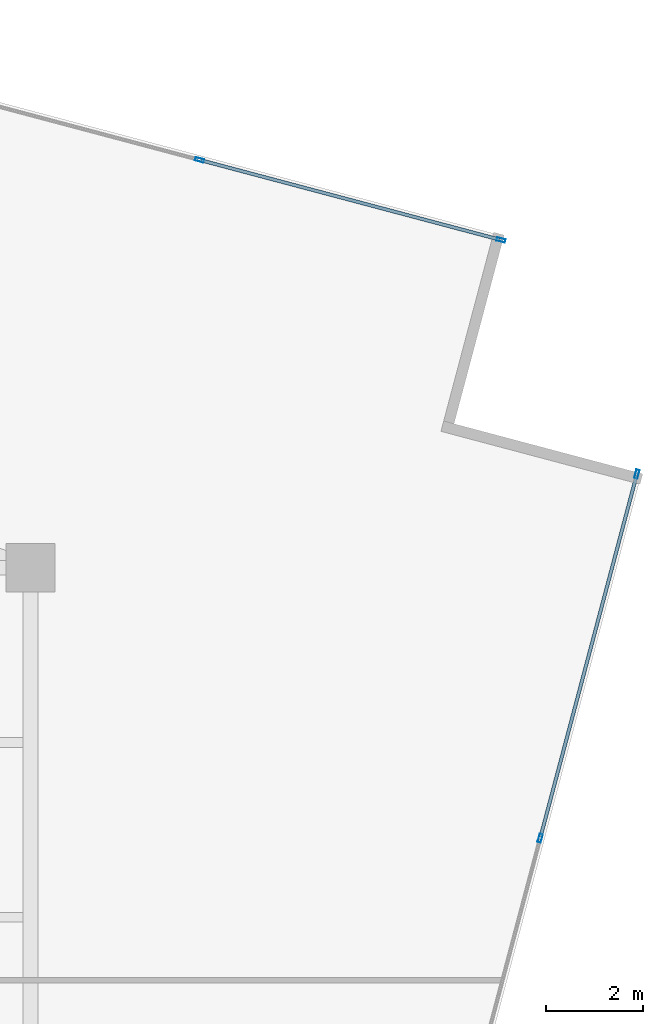
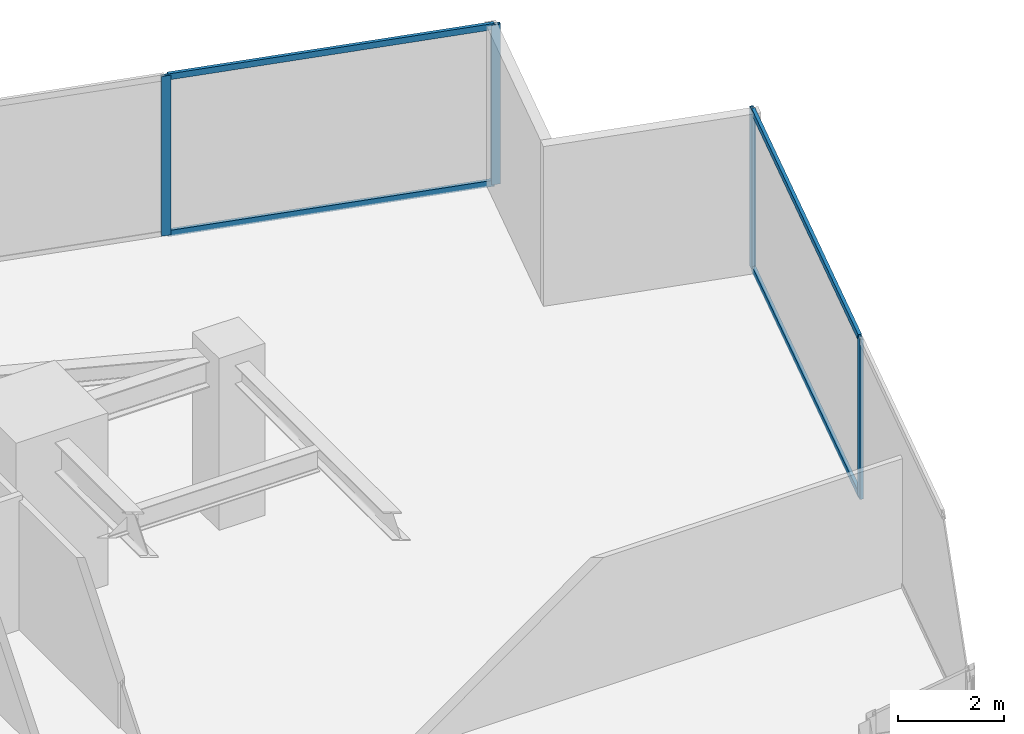
# One storey, part 20 of 27: 8 members, 2 elements without a shape of their own.
"""IFC4 building model written with IfcOpenShell, lengths in metres."""

from ifc_helpers import new_model, si_unit, direction, frame, origin, origin_2d, place, context, subcontext, project, spatial, hollow_rectangle, extrude, source, transform, mapped, material, material_profile, profile_set, type_object, type_shapes, element, aggregate, save


model = new_model("IFC4")

# Units and contexts
model_context = context("Model", 3, precision=1e-05, world=origin(), true_north=direction((0.0, 1.0)))
body_context = subcontext(model_context, "Body", "Model", "MODEL_VIEW")
ifc_project = project(units=[si_unit("LENGTHUNIT", "METRE"), si_unit("AREAUNIT", "SQUARE_METRE"), si_unit("VOLUMEUNIT", "CUBIC_METRE"), si_unit("PLANEANGLEUNIT", "RADIAN"), si_unit("MASSUNIT", "GRAM", prefix="KILO")], contexts=[model_context])

# Site, building, storey
site_placement = place(None, origin())
site = spatial("IfcSite", under=ifc_project, at=site_placement, CompositionType="ELEMENT")
building_placement = place(site_placement, origin())
building = spatial("IfcBuilding", under=site, at=building_placement, Name="Krantzveldt Concourse Tower", CompositionType="ELEMENT")
storey_placement = place(building_placement, frame((0.0, 0.0, 101.89990234375)))
storey = spatial("IfcBuildingStorey", under=building, at=storey_placement, Name="L24", CompositionType="ELEMENT", Elevation=101.89990234375)

# Curtain wall, members
ifc_material = material(Name="Anodised aluminium 6063-T6", Category="aluminium")
curtain_wall_type = type_object("IfcCurtainWallType", Name="CW2", PredefinedType="USERDEFINED", material=ifc_material)
curtain_wall_1_placement = place(storey_placement, origin())
curtain_wall_1 = element("IfcCurtainWall", 1, at=curtain_wall_1_placement, inside=storey, type_object=curtain_wall_type, Name="CW-L24-F11", ObjectType="UNITISED CURTAIN WALL", PredefinedType="USERDEFINED")
ifc_material_profile_1 = material_profile(ifc_material, hollow_rectangle(XDim=0.070068359375, YDim=0.179931640625, WallThickness=0.0048828125, at=origin_2d()), Name="Anodised aluminium 6063-T6", Category="aluminium")
ifc_profile_set_1 = profile_set([ifc_material_profile_1], Name="Anodised aluminium 6063-T6 - ALU-MULL 180x70x5")
member_type_1 = type_object("IfcMemberType", Name="CW-MUL-180", PredefinedType="MULLION", material=ifc_profile_set_1)
shared_shape_1 = source(origin(), body_context, "Body", "SweptSolid", [
    extrude(hollow_rectangle(XDim=0.070068359375, YDim=0.179931640625, WallThickness=0.0048828125, at=origin_2d()), origin(), (0.0, 0.0, 1.0), 3.670166015625),
])
type_shapes(member_type_1, [shared_shape_1])
member_1_placement = place(storey_placement, frame((61.506591796875, 31.92724609375, 0.0), z_axis=(0.0, 0.0, 1.0), x_axis=(-0.966488210944, 0.256711001141, 0.0)))
member_1 = element("IfcMember", 2, at=member_1_placement, type_object=member_type_1, Name="CW-Z12 mullion 2", PredefinedType="MULLION", context=body_context, shape_type="MappedRepresentation", body=[
    mapped(shared_shape_1, transform((0.0, 0.0, 0.0), x_axis=(1.0, 0.0, 0.0), y_axis=(0.0, 1.0, 0.0), z_axis=(0.0, 0.0, 1.0), scale=1.0)),
])
member_2_placement = place(storey_placement, frame((63.5, 39.43212890625, 0.0), z_axis=(0.0, 0.0, 1.0), x_axis=(-0.966488210944, 0.256711001141, 0.0)))
member_2 = element("IfcMember", 3, at=member_2_placement, type_object=member_type_1, Name="CW-Z12 mullion 3", PredefinedType="MULLION", context=body_context, shape_type="MappedRepresentation", body=[
    mapped(shared_shape_1, transform((0.0, 0.0, 0.0), x_axis=(1.0, 0.0, 0.0), y_axis=(0.0, 1.0, 0.0), z_axis=(0.0, 0.0, 1.0), scale=1.0)),
])

curtain_wall_2_placement = place(storey_placement, origin())
curtain_wall_2 = element("IfcCurtainWall", 4, at=curtain_wall_2_placement, inside=storey, type_object=curtain_wall_type, Name="CW-L24-F14", ObjectType="UNITISED CURTAIN WALL", PredefinedType="USERDEFINED")
member_3_placement = place(storey_placement, frame((60.699951171875, 44.257568359375, 0.0), z_axis=(0.0, 0.0, 1.0), x_axis=(-0.256711093648, -0.966488186373, 0.0)))
member_3 = element("IfcMember", 5, at=member_3_placement, type_object=member_type_1, Name="CW-Z12 mullion 1", PredefinedType="MULLION", context=body_context, shape_type="MappedRepresentation", body=[
    mapped(shared_shape_1, transform((0.0, 0.0, 0.0), x_axis=(1.0, 0.0, 0.0), y_axis=(0.0, 1.0, 0.0), z_axis=(0.0, 0.0, 1.0), scale=1.0)),
])
member_4_placement = place(storey_placement, frame((54.48388671875, 45.90869140625, 0.0), z_axis=(0.0, 0.0, 1.0), x_axis=(-0.256711093648, -0.966488186373, 0.0)))
member_4 = element("IfcMember", 6, at=member_4_placement, type_object=member_type_1, Name="CW-Z12 mullion 2", PredefinedType="MULLION", context=body_context, shape_type="MappedRepresentation", body=[
    mapped(shared_shape_1, transform((0.0, 0.0, 0.0), x_axis=(1.0, 0.0, 0.0), y_axis=(0.0, 1.0, 0.0), z_axis=(0.0, 0.0, 1.0), scale=1.0)),
])
ifc_material_profile_2 = material_profile(ifc_material, hollow_rectangle(XDim=0.070068359375, YDim=0.139892578125, WallThickness=0.0048828125, at=origin_2d()), Name="Anodised aluminium 6063-T6", Category="aluminium")
ifc_profile_set_2 = profile_set([ifc_material_profile_2], Name="Anodised aluminium 6063-T6 - ALU-TRAN 140x70x5")
member_type_2 = type_object("IfcMemberType", Name="CW-TRN-150", PredefinedType="USERDEFINED", material=ifc_profile_set_2)
shared_shape_2 = source(origin(), body_context, "Body", "SweptSolid", [
    extrude(hollow_rectangle(XDim=0.070068359375, YDim=0.139892578125, WallThickness=0.0048828125, at=origin_2d()), origin(), (0.0, 0.0, 1.0), 6.36181640625),
])
member_5_placement = place(storey_placement, frame((60.666259765625, 44.2666015625, 0.03515625), z_axis=(-0.96649241661, 0.256695166754, 0.0), x_axis=(-0.256695166754, -0.96649241661, 0.0)))
member_5 = element("IfcMember", 7, at=member_5_placement, type_object=member_type_2, Name="CW-Z12 transom 1.1", ObjectType="TRANSOM", PredefinedType="USERDEFINED", context=body_context, shape_type="MappedRepresentation", body=[
    mapped(shared_shape_2, transform((0.0, 0.0, 0.0), x_axis=(1.0, 0.0, 0.0), y_axis=(0.0, 1.0, 0.0), z_axis=(0.0, 0.0, 1.0), scale=1.0)),
])
member_6_placement = place(storey_placement, frame((60.666259765625, 44.2666015625, 3.635009765625), z_axis=(-0.96649241661, 0.256695166754, 0.0), x_axis=(-0.256695166754, -0.96649241661, 0.0)))
member_6 = element("IfcMember", 8, at=member_6_placement, type_object=member_type_2, Name="CW-Z12 transom 1.2", ObjectType="TRANSOM", PredefinedType="USERDEFINED", context=body_context, shape_type="MappedRepresentation", body=[
    mapped(shared_shape_2, transform((0.0, 0.0, 0.0), x_axis=(1.0, 0.0, 0.0), y_axis=(0.0, 1.0, 0.0), z_axis=(0.0, 0.0, 1.0), scale=1.0)),
])
aggregate(curtain_wall_2, [member_3, member_4, member_5, member_6])

# Member
shared_shape_3 = source(origin(), body_context, "Body", "SweptSolid", [
    extrude(hollow_rectangle(XDim=0.070068359375, YDim=0.139892578125, WallThickness=0.0048828125, at=origin_2d()), origin(), (0.0, 0.0, 1.0), 7.69482421875),
])
type_shapes(member_type_2, [shared_shape_2, shared_shape_3])
member_7_placement = place(storey_placement, frame((61.515625, 31.961181640625, 0.03515625), z_axis=(0.256708719645, 0.966488816934, 0.0), x_axis=(-0.966488816934, 0.256708719645, 0.0)))
member_7 = element("IfcMember", 9, at=member_7_placement, type_object=member_type_2, Name="CW-Z12 transom 2.1", ObjectType="TRANSOM", PredefinedType="USERDEFINED", context=body_context, shape_type="MappedRepresentation", body=[
    mapped(shared_shape_3, transform((0.0, 0.0, 0.0), x_axis=(1.0, 0.0, 0.0), y_axis=(0.0, 1.0, 0.0), z_axis=(0.0, 0.0, 1.0), scale=1.0)),
])

member_8_placement = place(storey_placement, frame((61.515625, 31.961181640625, 3.635009765625), z_axis=(0.256708719645, 0.966488816934, 0.0), x_axis=(-0.966488816934, 0.256708719645, 0.0)))
member_8 = element("IfcMember", 10, at=member_8_placement, type_object=member_type_2, Name="CW-Z12 transom 2.2", ObjectType="TRANSOM", PredefinedType="USERDEFINED", context=body_context, shape_type="MappedRepresentation", body=[
    mapped(shared_shape_3, transform((0.0, 0.0, 0.0), x_axis=(1.0, 0.0, 0.0), y_axis=(0.0, 1.0, 0.0), z_axis=(0.0, 0.0, 1.0), scale=1.0)),
])

aggregate(curtain_wall_1, [member_1, member_2, member_7, member_8])

save(model, "model.ifc")
